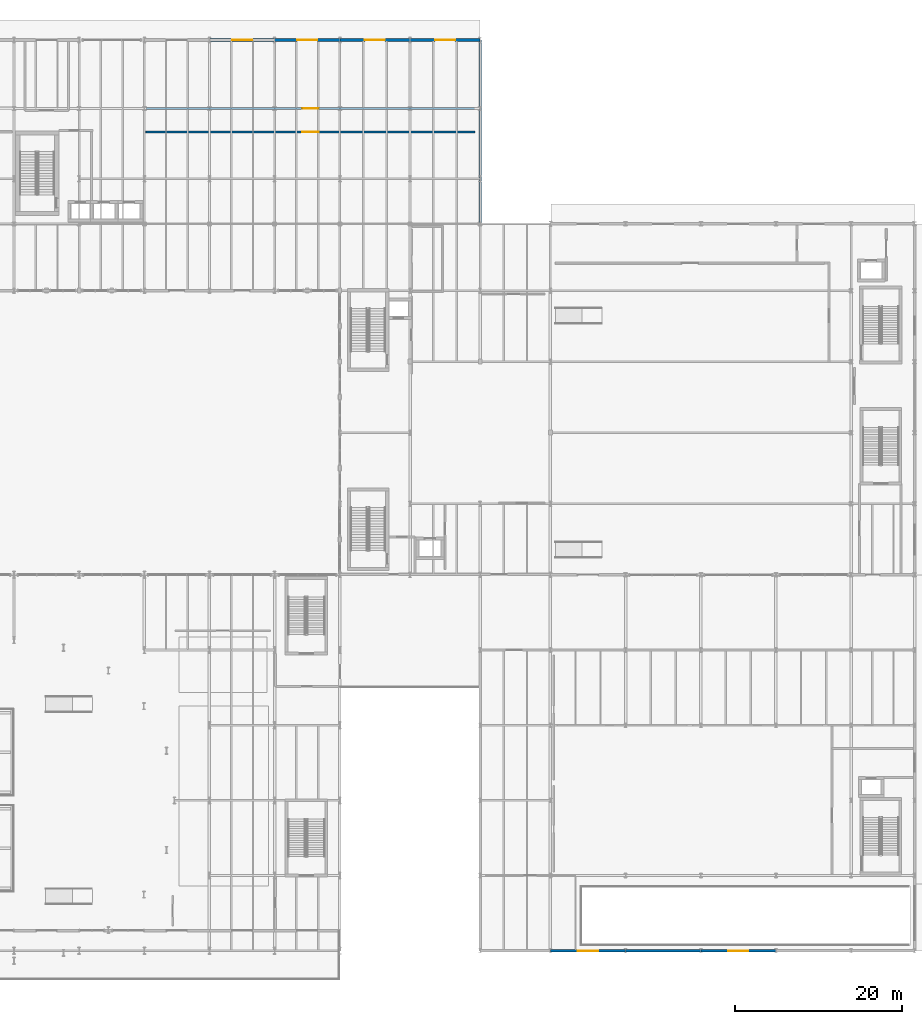
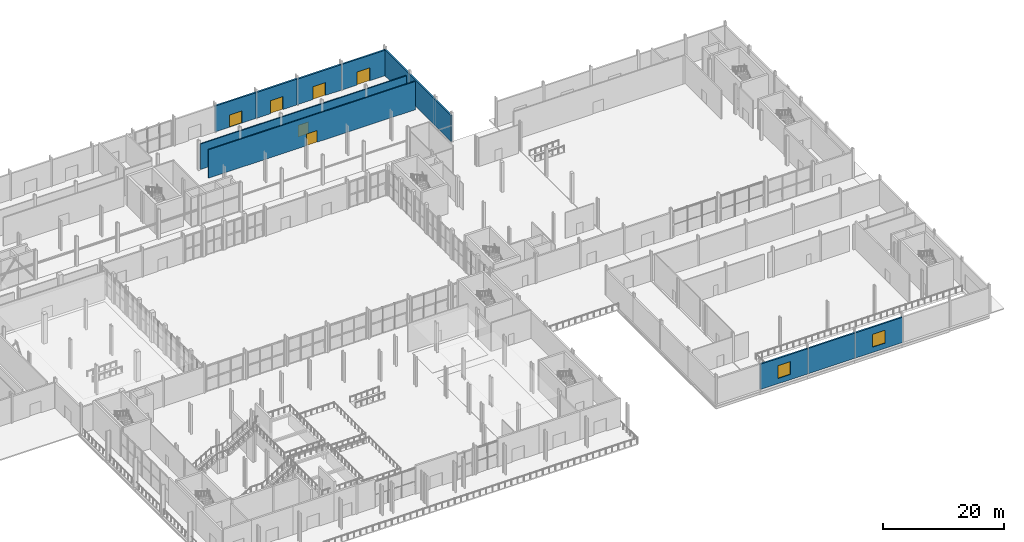
# One storey, part 61 of 84: 10 walls, 6 doors, 2 windows, 8 openings.
"""IFC4 building model written with IfcOpenShell, lengths in metres."""

import ifcopenshell
import ifcopenshell.guid

model = None  # the IFC model being written
_history = None  # IfcOwnerHistory: only IFC2X3 demands one
_inside = {}  # id of a spatial element -> (the spatial element, [elements in it])
_under = {}  # id of a project, library or spatial element -> (it, [spatial elements below it])
_declared = {}  # id of a project -> (the project, [libraries it declares])
_typed = {}  # id of a type object -> (the type object, [elements of that type])
_made_of = {}  # id of a material, layer set ... -> (it, [elements and type objects made of it])


def new_model(schema):
    """Start an empty IFC model of exactly this schema.

    Asked for "IFC4X3", IfcOpenShell would pick the latest addendum, in which some entities
    have other attributes; the version numbers below select the first issue.
    IFC2X3 requires an IfcOwnerHistory on every rooted entity: one is made here for all.
    """
    global model, _history
    if schema == "IFC4X3":
        model = ifcopenshell.file(schema_version=(4, 3, 0, 0))
    else:
        model = ifcopenshell.file(schema=schema)
    _inside.clear()
    _under.clear()
    _declared.clear()
    _typed.clear()
    _made_of.clear()
    _history = None
    if model.schema == "IFC2X3":
        org = make("IfcOrganization", Name="unknown")
        user = make(
            "IfcPersonAndOrganization",
            ThePerson=make("IfcPerson", FamilyName="unknown"),
            TheOrganization=org,
        )
        app = make(
            "IfcApplication",
            ApplicationDeveloper=org,
            Version="unknown",
            ApplicationFullName="unknown",
            ApplicationIdentifier="unknown",
        )
        _history = make(
            "IfcOwnerHistory",
            OwningUser=user,
            OwningApplication=app,
            ChangeAction="ADDED",
            CreationDate=0,
        )
    return model


def make(cls, **values):
    """One entity of the class cls with the attributes given. An attribute that is None is left unset."""
    return model.create_entity(
        cls, **{name: value for name, value in values.items() if value is not None}
    )


def rooted(cls, **values):
    """An entity with a GlobalId (a new one), such as an element, a storey or a relation."""
    return make(cls, GlobalId=ifcopenshell.guid.new(), OwnerHistory=_history, **values)


def si_unit(unit_type, name, prefix=None):
    """IfcSIUnit, for example si_unit("LENGTHUNIT", "METRE", prefix="MILLI")."""
    return make("IfcSIUnit", UnitType=unit_type, Prefix=prefix, Name=name)


def assignment(units):
    """IfcUnitAssignment: the units of a project."""
    return None if units is None else make("IfcUnitAssignment", Units=units)


def point(xyz):
    """IfcCartesianPoint."""
    return None if xyz is None else make("IfcCartesianPoint", Coordinates=xyz)


def direction(xyz):
    """IfcDirection."""
    return None if xyz is None else make("IfcDirection", DirectionRatios=xyz)


def frame(location, z_axis=None, x_axis=None):
    """IfcAxis2Placement3D, a coordinate frame: its origin and axes. An axis left out is left unset."""
    return make(
        "IfcAxis2Placement3D",
        Location=point(location),
        Axis=direction(z_axis),
        RefDirection=direction(x_axis),
    )


def frame_2d(location, x_axis=None):
    """IfcAxis2Placement2D, a coordinate frame in the plane: its origin and x axis."""
    return make(
        "IfcAxis2Placement2D", Location=point(location), RefDirection=direction(x_axis)
    )


def origin():
    """The frame at (0, 0, 0) with its axes left unset."""
    return frame((0.0, 0.0, 0.0))


def place(relative_to, where):
    """IfcLocalPlacement: puts the frame where relative to a parent placement (None: the world)."""
    return make(
        "IfcLocalPlacement", PlacementRelTo=relative_to, RelativePlacement=where
    )


def context(
    kind, dimensions, precision=None, world=None, true_north=None, identifier=None
):
    """IfcGeometricRepresentationContext, for example the 3D "Model" context."""
    return make(
        "IfcGeometricRepresentationContext",
        ContextIdentifier=identifier,
        ContextType=kind,
        CoordinateSpaceDimension=dimensions,
        Precision=precision,
        WorldCoordinateSystem=world,
        TrueNorth=true_north,
    )


def subcontext(parent, identifier, kind, view, scale=None):
    """IfcGeometricRepresentationSubContext, for example "Body" below "Model"."""
    return make(
        "IfcGeometricRepresentationSubContext",
        ContextIdentifier=identifier,
        ContextType=kind,
        ParentContext=parent,
        TargetScale=scale,
        TargetView=view,
    )


def project(units=None, contexts=None):
    """IfcProject with its units and contexts."""
    return rooted(
        "IfcProject",
        Name="project",
        RepresentationContexts=contexts,
        UnitsInContext=assignment(units),
    )


def spatial(cls, under=None, at=None, **own):
    """A site, building, storey or space (cls), placed at a placement, below another one or the project."""
    s = rooted(cls, ObjectPlacement=at, **own)
    if under is not None:
        _under.setdefault(under.id(), (under, []))[1].append(s)
    return s


def profile(cls, at=None, kind="AREA", **sizes):
    """A parametric profile (cls). Its sizes go by their IFC names, for example OverallWidth=200.0."""
    return make(cls, ProfileType=kind, Position=at, **sizes)


def rectangle(**sizes):
    """IfcRectangleProfileDef."""
    return profile("IfcRectangleProfileDef", **sizes)


def extrude(swept, where, along, depth):
    """IfcExtrudedAreaSolid: the profile swept, set in the frame where, extruded along a direction by depth."""
    return make(
        "IfcExtrudedAreaSolid",
        SweptArea=swept,
        Position=where,
        ExtrudedDirection=direction(along),
        Depth=depth,
    )


def shape(context_of_items, identifier, shape_type, items):
    """IfcShapeRepresentation: the items that make up one representation, for example the "Body"."""
    return make(
        "IfcShapeRepresentation",
        ContextOfItems=context_of_items,
        RepresentationIdentifier=identifier,
        RepresentationType=shape_type,
        Items=items,
    )


def material(Name=None, Category=None):
    """IfcMaterial."""
    return make("IfcMaterial", Name=Name, Category=Category)


def layer(
    of_material, thickness, ventilated=None, Name=None, Category=None, Priority=None
):
    """IfcMaterialLayer: one layer of a wall or slab, of a material (None: an air gap)."""
    return make(
        "IfcMaterialLayer",
        Material=of_material,
        LayerThickness=thickness,
        IsVentilated=ventilated,
        Name=Name,
        Category=Category,
        Priority=Priority,
    )


def layer_set(layers, Name=None):
    """IfcMaterialLayerSet."""
    return make("IfcMaterialLayerSet", MaterialLayers=layers, LayerSetName=Name)


def made_of(thing, what):
    """Note that an element or type object is made of a material, layer set ...; save() writes the relation."""
    if what is not None:
        _made_of.setdefault(what.id(), (what, []))[1].append(thing)
    return thing


def type_object(cls, material=None, **own):
    """A type object (cls), such as IfcWallType, which elements share."""
    return made_of(rooted(cls, **own), material)


def element(
    cls,
    number,
    at=None,
    inside=None,
    cuts=None,
    type_object=None,
    material=None,
    context=None,
    identifier="Body",
    shape_type=None,
    held_by="IfcProductDefinitionShape",
    body=None,
    shapes=None,
    **own,
):
    """One element of the class cls, such as IfcWall. Its Tag is "e" and its number.

    at: its placement. inside: the storey or other place that contains it. cuts: it is an
    opening in that element (IfcRelVoidsElement). A single representation is given by context,
    identifier, shape_type and body (its items); several are given by shapes. held_by: the class
    of the entity that holds the representations. save() writes the other relations.
    """
    e = rooted(cls, Tag="e%d" % number, ObjectPlacement=at, **own)
    if body is not None:
        shapes = [shape(context, identifier, shape_type, body)]
    if shapes is not None:
        e.Representation = make(held_by, Representations=shapes)
    if inside is not None:
        _inside.setdefault(inside.id(), (inside, []))[1].append(e)
    if cuts is not None:
        rooted(
            "IfcRelVoidsElement", RelatingBuildingElement=cuts, RelatedOpeningElement=e
        )
    if type_object is not None:
        _typed.setdefault(type_object.id(), (type_object, []))[1].append(e)
    return made_of(e, material)


def fill(opening, filler):
    """IfcRelFillsElement: the door or window that sits in an opening."""
    return rooted(
        "IfcRelFillsElement",
        RelatingOpeningElement=opening,
        RelatedBuildingElement=filler,
    )


def aggregate(whole, parts):
    """IfcRelAggregates: a whole, such as a stair, and the parts it consists of."""
    return rooted("IfcRelAggregates", RelatingObject=whole, RelatedObjects=parts)


def save(model, path):
    """Write the relations noted so far, then the file.

    IfcRelAggregates (storeys below a building ...), IfcRelContainedInSpatialStructure (elements
    in a storey), IfcRelDefinesByType, IfcRelAssociatesMaterial and IfcRelDeclares: one each for
    every whole, place, type object, material and project.
    """
    for whole, parts in _under.values():
        aggregate(whole, parts)
    for where, things in _inside.values():
        rooted(
            "IfcRelContainedInSpatialStructure",
            RelatedElements=things,
            RelatingStructure=where,
        )
    for kind, things in _typed.values():
        rooted("IfcRelDefinesByType", RelatedObjects=things, RelatingType=kind)
    for what, things in _made_of.values():
        rooted("IfcRelAssociatesMaterial", RelatedObjects=things, RelatingMaterial=what)
    for by, libraries in _declared.values():
        rooted("IfcRelDeclares", RelatingContext=by, RelatedDefinitions=libraries)
    model.write(path)


model = new_model("IFC4")

# Units and contexts
model_context = context("Model", 3, precision=1e-05, world=origin(), true_north=direction((0.0, 1.0)))
body_context = subcontext(model_context, "Body", "Model", "MODEL_VIEW")
ifc_project = project(units=[si_unit("LENGTHUNIT", "METRE"), si_unit("AREAUNIT", "SQUARE_METRE"), si_unit("VOLUMEUNIT", "CUBIC_METRE"), si_unit("PLANEANGLEUNIT", "RADIAN"), si_unit("MASSUNIT", "GRAM", prefix="KILO")], contexts=[model_context])

# Site, building, storey
site_placement = place(None, origin())
site = spatial("IfcSite", under=ifc_project, at=site_placement, CompositionType="ELEMENT")
building_placement = place(site_placement, origin())
building = spatial("IfcBuilding", under=site, at=building_placement, Name="Sefraquen Railside Congress Hotel", CompositionType="ELEMENT")
storey_placement = place(building_placement, origin())
storey = spatial("IfcBuildingStorey", under=building, at=storey_placement, Name="L00", CompositionType="ELEMENT", Elevation=0.0)

# Wall, opening, door
ifc_material_1 = material(Name="Acoustic double stud and gypsum board", Category="gypsum")
ifc_layer_1 = layer(ifc_material_1, 0.219970703125)
ifc_layer_set_1 = layer_set([ifc_layer_1], Name="Acoustic double stud and gypsum board")
wall_type_1 = type_object("IfcWallType", Name="TW-AW-220", PredefinedType="PARTITIONING", material=ifc_layer_set_1)
wall_1_placement = place(storey_placement, frame((80.050048828125, 109.800048828125, 0.0), z_axis=(0.0, 0.0, 1.0), x_axis=(1.0, 0.0, 0.0)))
wall_1 = element("IfcWall", 1, at=wall_1_placement, inside=storey, type_object=wall_type_1, Name="Art Nouveau All-Day Brasserie enclosure wall", PredefinedType="PARTITIONING", context=body_context, shape_type="SweptSolid", body=[
    extrude(rectangle(XDim=39.25, YDim=0.219970703125, at=frame_2d((19.625, 0.0))), origin(), (0.0, 0.0, 1.0), 5.139892578125),
])
opening_1_placement = place(wall_1_placement, frame((18.625, 0.0, 0.0)))
opening_1 = element("IfcOpeningElement", 2, at=opening_1_placement, cuts=wall_1, Name="Opening AD-02", PredefinedType="OPENING", context=body_context, shape_type="SweptSolid", body=[
    extrude(rectangle(XDim=2.0, YDim=2.35009765625, at=frame_2d((1.0, 1.175048828125))), frame((0.0, 0.119873046875, 0.0), z_axis=(0.0, -1.0, 0.0), x_axis=(1.0, 0.0, 0.0)), (0.0, 0.0, 1.0), 0.239990234375),
])
ifc_material_2 = material(Name="Acoustic Atlas cedar timber", Category="wood")
door_type_1 = type_object("IfcDoorType", Name="TD-AD-02", OperationType="NOTDEFINED", PredefinedType="DOOR", material=ifc_material_2)
door_1_placement = place(opening_1_placement, origin())
door_1 = element("IfcDoor", 3, at=door_1_placement, inside=storey, type_object=door_type_1, Name="Art Nouveau All-Day Brasserie entrance door", OperationType="DOUBLE_SWING_LEFT", OverallHeight=2.35009765625, OverallWidth=2.0, PredefinedType="DOOR", context=body_context, shape_type="SweptSolid", body=[
    extrude(rectangle(XDim=2.0, YDim=2.35009765625, at=frame_2d((1.0, 1.175048828125))), frame((0.0, 0.02490234375, 0.0), z_axis=(0.0, -1.0, 0.0), x_axis=(1.0, 0.0, 0.0)), (0.0, 0.0, 1.0), 0.050048828125),
])
fill(opening_1, door_1)

wall_2_placement = place(storey_placement, frame((80.0, 107.0, 0.0), z_axis=(0.0, 0.0, 1.0), x_axis=(1.0, 0.0, 0.0)))
wall_2 = element("IfcWall", 4, at=wall_2_placement, inside=storey, type_object=wall_type_1, Name="Brasserie Courtyard Dining Terrace Salon enclosure wall", PredefinedType="PARTITIONING", context=body_context, shape_type="SweptSolid", body=[
    extrude(rectangle(XDim=39.35009765625, YDim=0.219970703125, at=frame_2d((19.675048828125, 0.0))), origin(), (0.0, 0.0, 1.0), 5.699951171875),
])
opening_2_placement = place(wall_2_placement, frame((18.675048828125, 0.0, 0.0)))
opening_2 = element("IfcOpeningElement", 5, at=opening_2_placement, cuts=wall_2, Name="Opening AD-02", PredefinedType="OPENING", context=body_context, shape_type="SweptSolid", body=[
    extrude(rectangle(XDim=2.0, YDim=2.35009765625, at=frame_2d((1.0, 1.175048828125))), frame((0.0, 0.119873046875, 0.0), z_axis=(0.0, -1.0, 0.0), x_axis=(1.0, 0.0, 0.0)), (0.0, 0.0, 1.0), 0.239990234375),
])
door_2_placement = place(opening_2_placement, origin())
door_2 = element("IfcDoor", 6, at=door_2_placement, inside=storey, type_object=door_type_1, Name="Brasserie Courtyard Dining Terrace Salon entrance door", OperationType="DOUBLE_SWING_LEFT", OverallHeight=2.35009765625, OverallWidth=2.0, PredefinedType="DOOR", context=body_context, shape_type="SweptSolid", body=[
    extrude(rectangle(XDim=2.0, YDim=2.35009765625, at=frame_2d((1.0, 1.175048828125))), frame((0.0, 0.02490234375, 0.0), z_axis=(0.0, -1.0, 0.0), x_axis=(1.0, 0.0, 0.0)), (0.0, 0.0, 1.0), 0.050048828125),
])
fill(opening_2, door_2)

# Wall
ifc_material_3 = material(Name="Ochre Rabat calcarenite limestone and Concrete C40/50 backing", Category="masonry")
ifc_layer_2 = layer(ifc_material_3, 0.280029296875)
ifc_layer_set_2 = layer_set([ifc_layer_2], Name="Ochre Rabat calcarenite limestone and Concrete C40/50 backing")
wall_type_2 = type_object("IfcWallType", Name="TW-EW-280", PredefinedType="STANDARD", material=ifc_layer_set_2)
wall_3_placement = place(storey_placement, frame((120.0, 96.0, 0.0), z_axis=(0.0, 0.0, 1.0), x_axis=(0.0, 1.0, 0.0)))
element("IfcWall", 7, at=wall_3_placement, inside=storey, type_object=wall_type_2, Name="Hotel L00 east gable facade wall", PredefinedType="STANDARD", context=body_context, shape_type="SweptSolid", body=[
    extrude(rectangle(XDim=22.0, YDim=0.280029296875, at=frame_2d((11.0, 0.0))), origin(), (0.0, 0.0, 1.0), 5.239990234375),
])

# Wall, opening, window
ifc_layer_3 = layer(ifc_material_3, 0.300048828125)
ifc_layer_set_3 = layer_set([ifc_layer_3], Name="Ochre Rabat calcarenite limestone and Concrete C40/50 backing")
wall_type_3 = type_object("IfcWallType", Name="TW-EW-300", PredefinedType="STANDARD", material=ifc_layer_set_3)
wall_4_placement = place(storey_placement, frame((128.39990234375, 9.0, 0.0), z_axis=(0.0, 0.0, 1.0), x_axis=(1.0, 0.0, 0.0)))
wall_4 = element("IfcWall", 8, at=wall_4_placement, inside=storey, type_object=wall_type_3, Name="Thermal Spa L00 south limestone wall 2", PredefinedType="STANDARD", context=body_context, shape_type="SweptSolid", body=[
    extrude(rectangle(XDim=9.0, YDim=0.300048828125, at=frame_2d((4.5, 0.0))), origin(), (0.0, 0.0, 1.0), 5.090087890625),
])
opening_3_placement = place(wall_4_placement, frame((3.300048828125, 0.0, 1.050048828125)))
opening_3 = element("IfcOpeningElement", 9, at=opening_3_placement, cuts=wall_4, Name="Opening WN-09", PredefinedType="OPENING", context=body_context, shape_type="SweptSolid", body=[
    extrude(rectangle(XDim=2.39990234375, YDim=2.60009765625, at=frame_2d((1.199951171875, 1.300048828125))), frame((0.0, 0.159912109375, 0.0), z_axis=(0.0, -1.0, 0.0), x_axis=(1.0, 0.0, 0.0)), (0.0, 0.0, 1.0), 0.320068359375),
])
ifc_material_4 = material(Name="Solar-control low-E double glazing in bronze-anodised frame", Category="glass")
window_type = type_object("IfcWindowType", Name="TWN-W-09", PartitioningType="DOUBLE_PANEL_VERTICAL", PredefinedType="WINDOW", material=ifc_material_4)
window_1_placement = place(opening_3_placement, origin())
window_1 = element("IfcWindow", 10, at=window_1_placement, inside=storey, type_object=window_type, Name="Thermal Spa arched window 2", OverallHeight=2.60009765625, OverallWidth=2.39990234375, PartitioningType="DOUBLE_PANEL_VERTICAL", PredefinedType="WINDOW", context=body_context, shape_type="SweptSolid", body=[
    extrude(rectangle(XDim=2.39990234375, YDim=2.60009765625, at=frame_2d((1.199951171875, 1.300048828125))), frame((0.0, 0.030029296875, 0.0), z_axis=(0.0, -1.0, 0.0), x_axis=(1.0, 0.0, 0.0)), (0.0, 0.0, 1.0), 0.06005859375),
])
fill(opening_3, window_1)

# Wall
wall_5_placement = place(storey_placement, frame((137.39990234375, 9.0, 0.0), z_axis=(0.0, 0.0, 1.0), x_axis=(1.0, 0.0, 0.0)))
element("IfcWall", 11, at=wall_5_placement, inside=storey, type_object=wall_type_3, Name="Thermal Spa L00 south limestone wall 3", PredefinedType="STANDARD", context=body_context, shape_type="SweptSolid", body=[
    extrude(rectangle(XDim=9.0, YDim=0.300048828125, at=frame_2d((4.5, 0.0))), origin(), (0.0, 0.0, 1.0), 5.090087890625),
])

# Wall, opening, window
wall_6_placement = place(storey_placement, frame((146.39990234375, 9.0, 0.0), z_axis=(0.0, 0.0, 1.0), x_axis=(1.0, 0.0, 0.0)))
wall_6 = element("IfcWall", 12, at=wall_6_placement, inside=storey, type_object=wall_type_3, Name="Thermal Spa L00 south limestone wall 4", PredefinedType="STANDARD", context=body_context, shape_type="SweptSolid", body=[
    extrude(rectangle(XDim=9.0, YDim=0.300048828125, at=frame_2d((4.5, 0.0))), origin(), (0.0, 0.0, 1.0), 5.090087890625),
])
opening_4_placement = place(wall_6_placement, frame((3.300048828125, 0.0, 1.050048828125)))
opening_4 = element("IfcOpeningElement", 13, at=opening_4_placement, cuts=wall_6, Name="Opening WN-09", PredefinedType="OPENING", context=body_context, shape_type="SweptSolid", body=[
    extrude(rectangle(XDim=2.39990234375, YDim=2.60009765625, at=frame_2d((1.199951171875, 1.300048828125))), frame((0.0, 0.159912109375, 0.0), z_axis=(0.0, -1.0, 0.0), x_axis=(1.0, 0.0, 0.0)), (0.0, 0.0, 1.0), 0.320068359375),
])
window_2_placement = place(opening_4_placement, origin())
window_2 = element("IfcWindow", 14, at=window_2_placement, inside=storey, type_object=window_type, Name="Thermal Spa arched window 4", OverallHeight=2.60009765625, OverallWidth=2.39990234375, PartitioningType="DOUBLE_PANEL_VERTICAL", PredefinedType="WINDOW", context=body_context, shape_type="SweptSolid", body=[
    extrude(rectangle(XDim=2.39990234375, YDim=2.60009765625, at=frame_2d((1.199951171875, 1.300048828125))), frame((0.0, 0.030029296875, 0.0), z_axis=(0.0, -1.0, 0.0), x_axis=(1.0, 0.0, 0.0)), (0.0, 0.0, 1.0), 0.06005859375),
])
fill(opening_4, window_2)

# Wall, opening, door
ifc_layer_4 = layer(ifc_material_3, 0.320068359375)
ifc_layer_set_4 = layer_set([ifc_layer_4], Name="Ochre Rabat calcarenite limestone and Concrete C40/50 backing")
wall_type_4 = type_object("IfcWallType", Name="TW-EW-320", PredefinedType="STANDARD", material=ifc_layer_set_4)
wall_7_placement = place(storey_placement, frame((87.60009765625, 118.0, 0.0), z_axis=(0.0, 0.0, 1.0), x_axis=(1.0, 0.0, 0.0)))
wall_7 = element("IfcWall", 15, at=wall_7_placement, inside=storey, type_object=wall_type_4, Name="Hotel Boulevard entrance portal wall 9", PredefinedType="STANDARD", context=body_context, shape_type="SweptSolid", body=[
    extrude(rectangle(XDim=7.7998046875, YDim=0.320068359375, at=frame_2d((3.89990234375, 0.0))), origin(), (0.0, 0.0, 1.0), 5.18994140625),
])
opening_5_placement = place(wall_7_placement, frame((2.699951171875, 0.0, 0.0)))
opening_5 = element("IfcOpeningElement", 16, at=opening_5_placement, cuts=wall_7, Name="Opening ED-02", PredefinedType="OPENING", context=body_context, shape_type="SweptSolid", body=[
    extrude(rectangle(XDim=2.39990234375, YDim=2.449951171875, at=frame_2d((1.199951171875, 1.22509765625))), frame((0.0, 0.169921875, 0.0), z_axis=(0.0, -1.0, 0.0), x_axis=(1.0, 0.0, 0.0)), (0.0, 0.0, 1.0), 0.340087890625),
])
ifc_material_5 = material(Name="Bronze and fire-rated laminated glass", Category="glass")
door_type_2 = type_object("IfcDoorType", Name="TD-ED-02", OperationType="NOTDEFINED", PredefinedType="DOOR", material=ifc_material_5)
door_3_placement = place(opening_5_placement, origin())
door_3 = element("IfcDoor", 17, at=door_3_placement, inside=storey, type_object=door_type_2, Name="Hotel North Boulevard grand entrance 29", OperationType="DOUBLE_SWING_LEFT", OverallHeight=2.449951171875, OverallWidth=2.39990234375, PredefinedType="DOOR", context=body_context, shape_type="SweptSolid", body=[
    extrude(rectangle(XDim=2.39990234375, YDim=2.449951171875, at=frame_2d((1.199951171875, 1.22509765625))), frame((0.0, 0.02490234375, 0.0), z_axis=(0.0, -1.0, 0.0), x_axis=(1.0, 0.0, 0.0)), (0.0, 0.0, 1.0), 0.050048828125),
])
fill(opening_5, door_3)

wall_8_placement = place(storey_placement, frame((95.39990234375, 118.0, 0.0), z_axis=(0.0, 0.0, 1.0), x_axis=(1.0, 0.0, 0.0)))
wall_8 = element("IfcWall", 18, at=wall_8_placement, inside=storey, type_object=wall_type_4, Name="Hotel Boulevard entrance portal wall 10", PredefinedType="STANDARD", context=body_context, shape_type="SweptSolid", body=[
    extrude(rectangle(XDim=7.800048828125, YDim=0.320068359375, at=frame_2d((3.89990234375, 0.0))), origin(), (0.0, 0.0, 1.0), 5.18994140625),
])
opening_6_placement = place(wall_8_placement, frame((2.699951171875, 0.0, 0.0)))
opening_6 = element("IfcOpeningElement", 19, at=opening_6_placement, cuts=wall_8, Name="Opening ED-01", PredefinedType="OPENING", context=body_context, shape_type="SweptSolid", body=[
    extrude(rectangle(XDim=2.39990234375, YDim=2.60009765625, at=frame_2d((1.199951171875, 1.300048828125))), frame((0.0, 0.169921875, 0.0), z_axis=(0.0, -1.0, 0.0), x_axis=(1.0, 0.0, 0.0)), (0.0, 0.0, 1.0), 0.340087890625),
])
door_type_3 = type_object("IfcDoorType", Name="TD-ED-01", OperationType="NOTDEFINED", PredefinedType="DOOR", material=ifc_material_5)
door_4_placement = place(opening_6_placement, origin())
door_4 = element("IfcDoor", 20, at=door_4_placement, inside=storey, type_object=door_type_3, Name="Hotel North Boulevard grand entrance 30", OperationType="DOUBLE_SWING_LEFT", OverallHeight=2.60009765625, OverallWidth=2.39990234375, PredefinedType="DOOR", context=body_context, shape_type="SweptSolid", body=[
    extrude(rectangle(XDim=2.39990234375, YDim=2.60009765625, at=frame_2d((1.199951171875, 1.300048828125))), frame((0.0, 0.02490234375, 0.0), z_axis=(0.0, -1.0, 0.0), x_axis=(1.0, 0.0, 0.0)), (0.0, 0.0, 1.0), 0.050048828125),
])
fill(opening_6, door_4)

wall_9_placement = place(storey_placement, frame((103.199951171875, 118.0, 0.0), z_axis=(0.0, 0.0, 1.0), x_axis=(1.0, 0.0, 0.0)))
wall_9 = element("IfcWall", 21, at=wall_9_placement, inside=storey, type_object=wall_type_4, Name="Hotel Boulevard entrance portal wall 11", PredefinedType="STANDARD", context=body_context, shape_type="SweptSolid", body=[
    extrude(rectangle(XDim=8.400146484375, YDim=0.320068359375, at=frame_2d((4.2001953125, 0.0))), origin(), (0.0, 0.0, 1.0), 5.139892578125),
])
opening_7_placement = place(wall_9_placement, frame((3.0, 0.0, 0.0)))
opening_7 = element("IfcOpeningElement", 22, at=opening_7_placement, cuts=wall_9, Name="Opening ED-01", PredefinedType="OPENING", context=body_context, shape_type="SweptSolid", body=[
    extrude(rectangle(XDim=2.39990234375, YDim=2.60009765625, at=frame_2d((1.199951171875, 1.300048828125))), frame((0.0, 0.169921875, 0.0), z_axis=(0.0, -1.0, 0.0), x_axis=(1.0, 0.0, 0.0)), (0.0, 0.0, 1.0), 0.340087890625),
])
door_5_placement = place(opening_7_placement, origin())
door_5 = element("IfcDoor", 23, at=door_5_placement, inside=storey, type_object=door_type_3, Name="Hotel North Boulevard grand entrance 31", OperationType="DOUBLE_SWING_LEFT", OverallHeight=2.60009765625, OverallWidth=2.39990234375, PredefinedType="DOOR", context=body_context, shape_type="SweptSolid", body=[
    extrude(rectangle(XDim=2.39990234375, YDim=2.60009765625, at=frame_2d((1.199951171875, 1.300048828125))), frame((0.0, 0.02490234375, 0.0), z_axis=(0.0, -1.0, 0.0), x_axis=(1.0, 0.0, 0.0)), (0.0, 0.0, 1.0), 0.050048828125),
])
fill(opening_7, door_5)

wall_10_placement = place(storey_placement, frame((111.60009765625, 118.0, 0.0), z_axis=(0.0, 0.0, 1.0), x_axis=(1.0, 0.0, 0.0)))
wall_10 = element("IfcWall", 24, at=wall_10_placement, inside=storey, type_object=wall_type_4, Name="Hotel Boulevard entrance portal wall 12", PredefinedType="STANDARD", context=body_context, shape_type="SweptSolid", body=[
    extrude(rectangle(XDim=8.39990234375, YDim=0.320068359375, at=frame_2d((4.199951171875, 0.0))), origin(), (0.0, 0.0, 1.0), 5.139892578125),
])
opening_8_placement = place(wall_10_placement, frame((3.0, 0.0, 0.0)))
opening_8 = element("IfcOpeningElement", 25, at=opening_8_placement, cuts=wall_10, Name="Opening ED-01", PredefinedType="OPENING", context=body_context, shape_type="SweptSolid", body=[
    extrude(rectangle(XDim=2.39990234375, YDim=2.60009765625, at=frame_2d((1.199951171875, 1.300048828125))), frame((0.0, 0.169921875, 0.0), z_axis=(0.0, -1.0, 0.0), x_axis=(1.0, 0.0, 0.0)), (0.0, 0.0, 1.0), 0.340087890625),
])
door_6_placement = place(opening_8_placement, origin())
door_6 = element("IfcDoor", 26, at=door_6_placement, inside=storey, type_object=door_type_3, Name="Hotel North Boulevard grand entrance 32", OperationType="DOUBLE_SWING_LEFT", OverallHeight=2.60009765625, OverallWidth=2.39990234375, PredefinedType="DOOR", context=body_context, shape_type="SweptSolid", body=[
    extrude(rectangle(XDim=2.39990234375, YDim=2.60009765625, at=frame_2d((1.199951171875, 1.300048828125))), frame((0.0, 0.02490234375, 0.0), z_axis=(0.0, -1.0, 0.0), x_axis=(1.0, 0.0, 0.0)), (0.0, 0.0, 1.0), 0.050048828125),
])
fill(opening_8, door_6)

save(model, "model.ifc")
